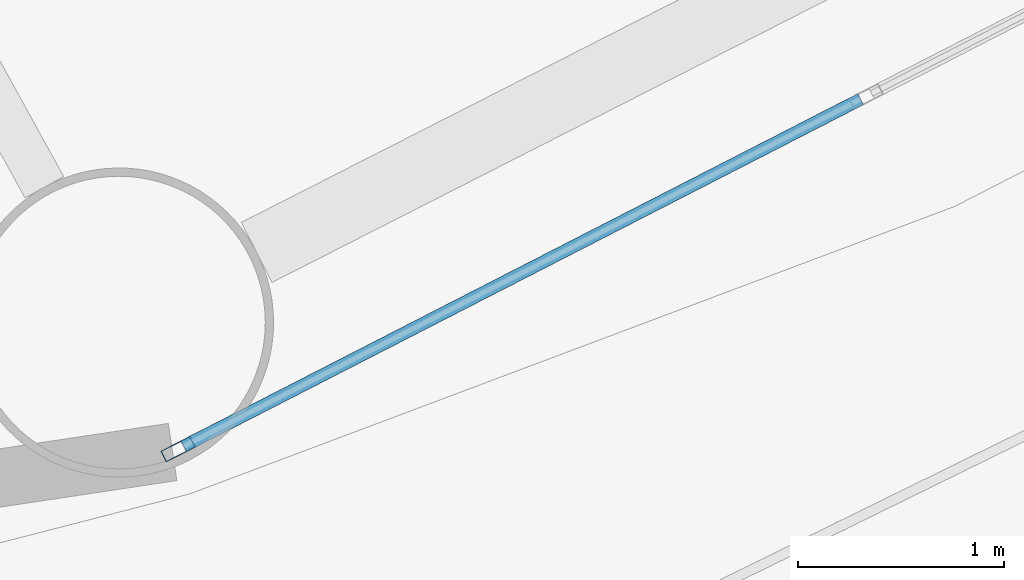
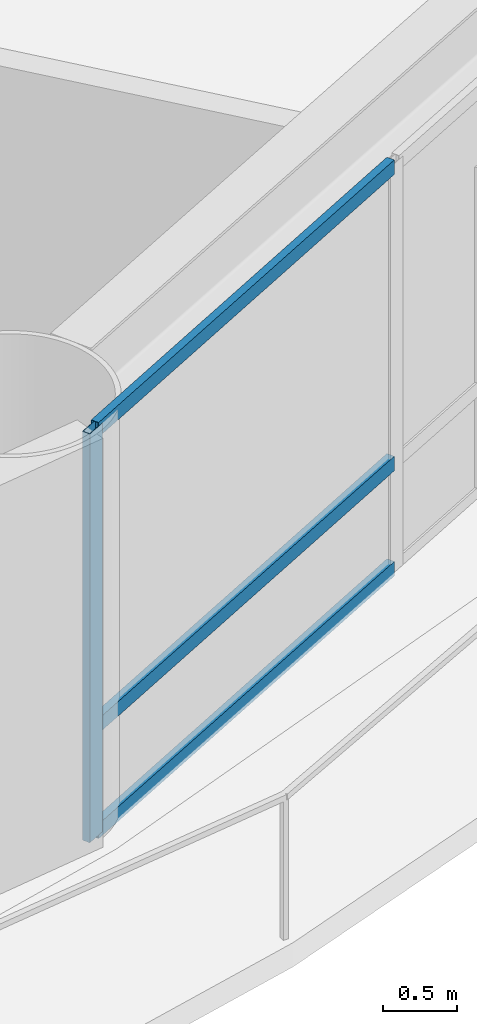
# One storey, part 6 of 26: 4 members, 1 element without a shape of its own.
"""IFC4 building model written with IfcOpenShell, lengths in metres."""

from ifc_helpers import new_model, si_unit, direction, frame, origin, origin_2d, place, context, subcontext, project, spatial, hollow_rectangle, extrude, material, layer, layer_set, material_profile, profile_set, type_object, element, aggregate, save


model = new_model("IFC4")

# Units and contexts
model_context = context("Model", 3, precision=1e-05, world=origin(), true_north=direction((0.0, 1.0)))
body_context = subcontext(model_context, "Body", "Model", "MODEL_VIEW")
ifc_project = project(units=[si_unit("LENGTHUNIT", "METRE"), si_unit("AREAUNIT", "SQUARE_METRE"), si_unit("VOLUMEUNIT", "CUBIC_METRE"), si_unit("PLANEANGLEUNIT", "RADIAN"), si_unit("MASSUNIT", "GRAM", prefix="KILO")], contexts=[model_context])

# Site, building, storey
site_placement = place(None, origin())
site = spatial("IfcSite", under=ifc_project, at=site_placement, CompositionType="ELEMENT")
building_placement = place(site_placement, origin())
building = spatial("IfcBuilding", under=site, at=building_placement, Name="Sarneth Arch Tower", CompositionType="ELEMENT")
storey_placement = place(building_placement, frame((0.0, 0.0, 35.39990234375)))
storey = spatial("IfcBuildingStorey", under=building, at=storey_placement, Name="L07", CompositionType="ELEMENT", Elevation=35.39990234375)

# Curtain wall, members
ifc_material_1 = material(Name="Anodised aluminium Type AA25 and solar-control low-e laminated IGU", Category="aluminium")
ifc_layer = layer(ifc_material_1, 0.159912109375)
ifc_layer_set = layer_set([ifc_layer], Name="Anodised aluminium Type AA25 and solar-control low-e laminated IGU")
curtain_wall_type = type_object("IfcCurtainWallType", Name="CW-HOTEL-LOW", PredefinedType="NOTDEFINED", material=ifc_layer_set)
curtain_wall_placement = place(storey_placement, origin())
curtain_wall = element("IfcCurtainWall", 1, at=curtain_wall_placement, inside=storey, type_object=curtain_wall_type, Name="L07 Unitised curtain wall facet 14", PredefinedType="NOTDEFINED")
ifc_material_2 = material(Name="Anodised Aluminium 6063-T6", Category="aluminium")
ifc_material_profile_1 = material_profile(ifc_material_2, hollow_rectangle(XDim=0.06005859375, YDim=0.159912109375, WallThickness=0.00390625, at=origin_2d()), Name="AL-MULL-160x60x4")
ifc_profile_set_1 = profile_set([ifc_material_profile_1], Name="Anodised Aluminium 6063-T6")
member_type_1 = type_object("IfcMemberType", Name="CW-MULLION", PredefinedType="MULLION", material=ifc_profile_set_1)
member_1_placement = place(storey_placement, frame((60.1044921875, 19.951416015625, 0.0), z_axis=(0.0, 0.0, 1.0), x_axis=(-0.456245197127, 0.889854100456, 0.0)))
member_1 = element("IfcMember", 2, at=member_1_placement, type_object=member_type_1, Name="CW-SYS-3 mullion 1", PredefinedType="MULLION", context=body_context, shape_type="SweptSolid", body=[
    extrude(hollow_rectangle(XDim=0.06005859375, YDim=0.159912109375, WallThickness=0.00390625, at=origin_2d()), origin(), (0.0, 0.0, 1.0), 3.380126953125),
])
ifc_material_3 = material(Name="Anodised Aluminium 6063-T6", Category="aluminium")
ifc_material_profile_2 = material_profile(ifc_material_3, hollow_rectangle(XDim=0.06005859375, YDim=0.1201171875, WallThickness=0.00390625, at=origin_2d()), Name="AL-TRAN-120x60x4")
ifc_profile_set_2 = profile_set([ifc_material_profile_2], Name="Anodised Aluminium 6063-T6")
member_type_2 = type_object("IfcMemberType", Name="CW-TRANSOM", PredefinedType="USERDEFINED", material=ifc_profile_set_2)
member_2_placement = place(storey_placement, frame((60.13134765625, 19.965087890625, 0.030029296875), z_axis=(0.889831232102, 0.456289796485, 0.0), x_axis=(-0.456289796485, 0.889831232102, 0.0)))
member_2 = element("IfcMember", 3, at=member_2_placement, type_object=member_type_2, Name="CW-SYS-3 transom 1.1", ObjectType="TRANSOM", PredefinedType="USERDEFINED", context=body_context, shape_type="SweptSolid", body=[
    extrude(hollow_rectangle(XDim=0.06005859375, YDim=0.1201171875, WallThickness=0.00390625, at=origin_2d()), origin(), (0.0, 0.0, 1.0), 3.69189453125),
])
member_3_placement = place(storey_placement, frame((60.13134765625, 19.965087890625, 0.900146484375), z_axis=(0.889831232102, 0.456289796485, 0.0), x_axis=(-0.456289796485, 0.889831232102, 0.0)))
member_3 = element("IfcMember", 4, at=member_3_placement, type_object=member_type_2, Name="CW-SYS-3 transom 1.2", ObjectType="TRANSOM", PredefinedType="USERDEFINED", context=body_context, shape_type="SweptSolid", body=[
    extrude(hollow_rectangle(XDim=0.06005859375, YDim=0.1201171875, WallThickness=0.00390625, at=origin_2d()), origin(), (0.0, 0.0, 1.0), 3.69189453125),
])
member_4_placement = place(storey_placement, frame((60.13134765625, 19.965087890625, 3.35009765625), z_axis=(0.889831232102, 0.456289796485, 0.0), x_axis=(-0.456289796485, 0.889831232102, 0.0)))
member_4 = element("IfcMember", 5, at=member_4_placement, type_object=member_type_2, Name="CW-SYS-3 transom 1.3", ObjectType="TRANSOM", PredefinedType="USERDEFINED", context=body_context, shape_type="SweptSolid", body=[
    extrude(hollow_rectangle(XDim=0.06005859375, YDim=0.1201171875, WallThickness=0.00390625, at=origin_2d()), origin(), (0.0, 0.0, 1.0), 3.69189453125),
])
aggregate(curtain_wall, [member_1, member_2, member_3, member_4])

save(model, "model.ifc")
